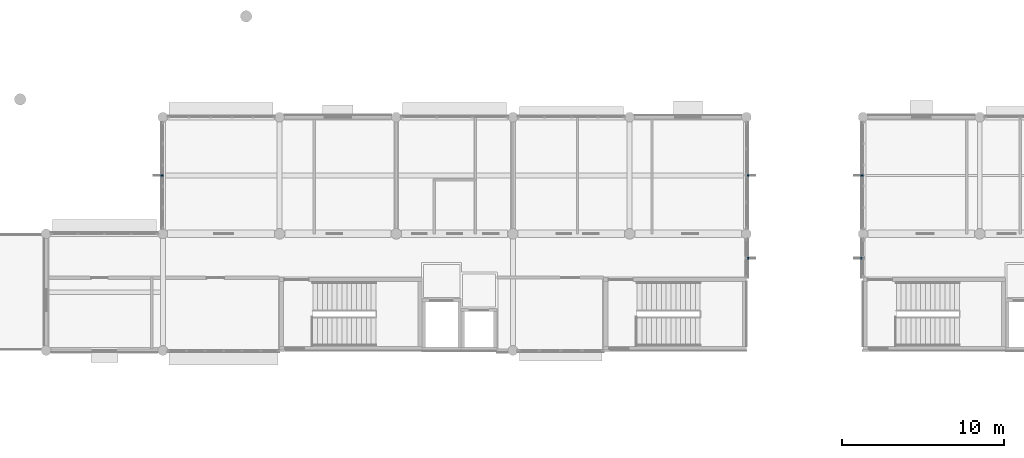
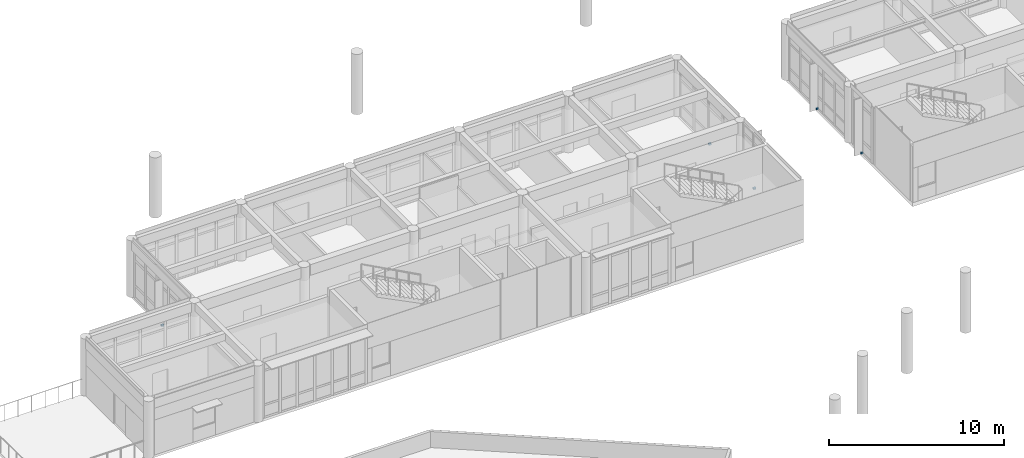
# One storey, part 34 of 55: 5 discrete accessories.
"""IFC4 building model written with IfcOpenShell, lengths in metres."""

from ifc_helpers import new_model, si_unit, direction, frame, origin, origin_2d, place, context, subcontext, project, spatial, rectangle, extrude, material, type_object, element, save


model = new_model("IFC4")

# Units and contexts
model_context = context("Model", 3, precision=1e-05, world=origin(), true_north=direction((0.0, 1.0)))
body_context = subcontext(model_context, "Body", "Model", "MODEL_VIEW")
ifc_project = project(units=[si_unit("LENGTHUNIT", "METRE"), si_unit("AREAUNIT", "SQUARE_METRE"), si_unit("VOLUMEUNIT", "CUBIC_METRE"), si_unit("PLANEANGLEUNIT", "RADIAN"), si_unit("MASSUNIT", "GRAM", prefix="KILO")], contexts=[model_context])

# Site, building, storey
site_placement = place(None, origin())
site = spatial("IfcSite", under=ifc_project, at=site_placement, CompositionType="ELEMENT")
building_placement = place(site_placement, origin())
building = spatial("IfcBuilding", under=site, at=building_placement, Name="Namkhue Oval Health Centre", CompositionType="ELEMENT")
storey_placement = place(building_placement, frame((0.0, 0.0, 9.60009765625)))
storey = spatial("IfcBuildingStorey", under=building, at=storey_placement, Name="L02", CompositionType="ELEMENT", Elevation=9.60009765625)

# Discrete accessories
ifc_material = material(Name="Structural steel S355JR (TCVN CCT38)", Category="steel")
discrete_accessory_type = type_object("IfcDiscreteAccessoryType", Name="FACADE SHADING BRACKET", PredefinedType="BRACKET", material=ifc_material)
for number, where, z_axis, x_axis, name in (
    (1, (86.4599609375, 95.70361328125, -0.000244140625), (0.0, 0.0, 1.0), (1.0, 0.0, 0.0), "Solar Fin Bracket 80"),
    (2, (86.4599609375, 100.800048828125, -0.000244140625), (0.0, 0.0, 1.0), (1.0, 0.0, 0.0), "Solar Fin Bracket 81"),
    (3, (50.340087890625, 100.800048828125, -0.000244140625), (0.0, 0.0, 1.0), (-1.0, 0.0, 0.0), "Solar Fin Bracket 87"),
    (4, (93.5400390625, 100.800048828125, -0.000244140625), (0.0, 0.0, 1.0), (-1.0, 0.0, 0.0), "Solar Fin Bracket 153"),
    (5, (93.5400390625, 95.70361328125, -0.000244140625), (0.0, 0.0, 1.0), (-1.0, 0.0, 0.0), "Solar Fin Bracket 154"),
):
    element("IfcDiscreteAccessory", number, at=place(storey_placement, frame(where, z_axis=z_axis, x_axis=x_axis)), inside=storey, type_object=discrete_accessory_type, Name=name, PredefinedType="BRACKET", context=body_context, shape_type="SweptSolid", body=[
        extrude(rectangle(XDim=0.159912109375, YDim=0.1201171875, at=origin_2d()), origin(), (0.0, 0.0, 1.0), 0.1201171875),
    ])

save(model, "model.ifc")
